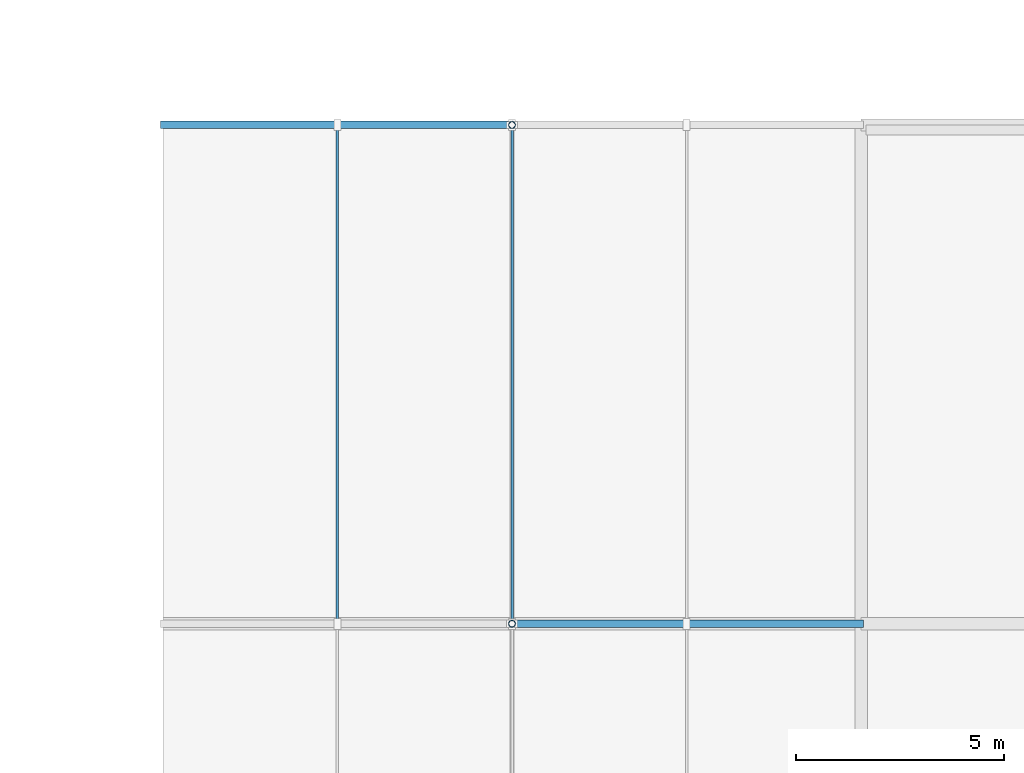
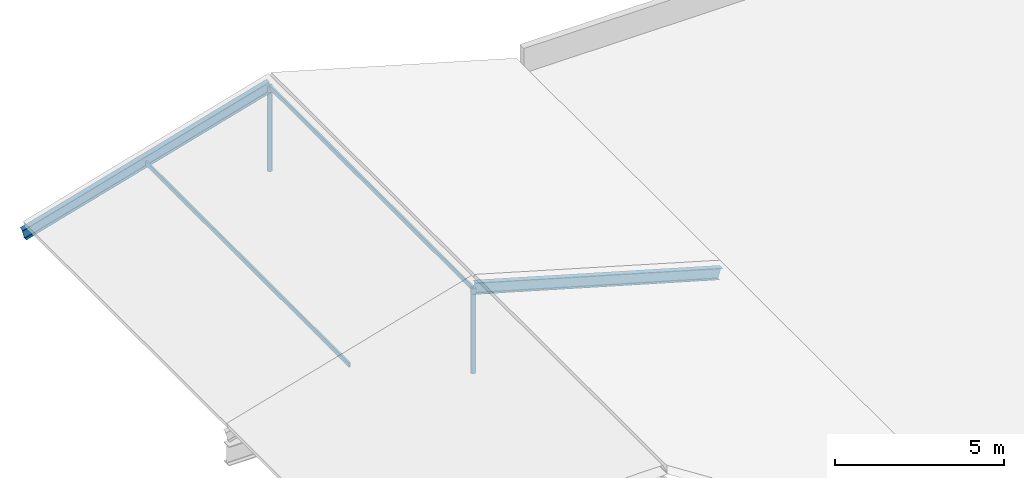
# One storey, part 36 of 130: 4 members, 2 beams.
"""IFC4 building model written with IfcOpenShell, lengths in metres."""

from ifc_helpers import new_model, si_unit, direction, frame, origin, origin_2d, place, context, subcontext, project, spatial, hollow_rectangle, hollow_circle, i_section, extrude, material, material_profile, profile_set, type_object, element, save


model = new_model("IFC4")

# Units and contexts
model_context = context("Model", 3, precision=1e-05, world=origin(), true_north=direction((0.0, 1.0)))
body_context = subcontext(model_context, "Body", "Model", "MODEL_VIEW")
ifc_project = project(units=[si_unit("LENGTHUNIT", "METRE"), si_unit("AREAUNIT", "SQUARE_METRE"), si_unit("VOLUMEUNIT", "CUBIC_METRE"), si_unit("PLANEANGLEUNIT", "RADIAN"), si_unit("MASSUNIT", "GRAM", prefix="KILO")], contexts=[model_context])

# Site, building, storey
site_placement = place(None, origin())
site = spatial("IfcSite", under=ifc_project, at=site_placement, CompositionType="ELEMENT")
building_placement = place(site_placement, origin())
building = spatial("IfcBuilding", under=site, at=building_placement, Name="Veltarok Museum of Natural Sciences", CompositionType="ELEMENT")
storey_placement = place(building_placement, frame((0.0, 0.0, 12.89990234375)))
storey = spatial("IfcBuildingStorey", under=building, at=storey_placement, Name="L02", CompositionType="ELEMENT", Elevation=12.89990234375)

# Members
ifc_material_1 = material(Name="Steel S355J2", Category="steel")
ifc_material_profile_1 = material_profile(ifc_material_1, hollow_rectangle(XDim=0.06005859375, YDim=0.159912109375, WallThickness=0.0048828125, at=origin_2d()), Name="RHS 160x60x5")
ifc_profile_set_1 = profile_set([ifc_material_profile_1], Name="Steel S355J2")
member_type_1 = type_object("IfcMemberType", Name="Sawtooth Roof Purlin RHS 160x60x5", PredefinedType="PURLIN", material=ifc_profile_set_1)
for number, where, z_axis, x_axis, name in (
    (1, (14.800048828125, 48.0, 2.421142578125), (0.0, 1.0, 0.0), (-1.0, 0.0, 0.0), "Auditorium Roof Purlin RID F-G"),
    (2, (10.60009765625, 48.0, 1.13623046875), (0.0, 1.0, 0.0), (-1.0, 0.0, 0.0), "Auditorium Roof Purlin MW F-G"),
):
    element("IfcMember", number, at=place(storey_placement, frame(where, z_axis=z_axis, x_axis=x_axis)), inside=storey, type_object=member_type_1, Name=name, PredefinedType="PURLIN", context=body_context, shape_type="SweptSolid", body=[
        extrude(hollow_rectangle(XDim=0.06005859375, YDim=0.159912109375, WallThickness=0.0048828125, at=origin_2d()), origin(), (0.0, 0.0, 1.0), 12.0),
    ])
ifc_material_2 = material(Name="Oxide-red painted Steel S355J2", Category="steel")
ifc_material_profile_2 = material_profile(ifc_material_2, hollow_circle(Radius=0.084228515625, WallThickness=0.008056640625, at=origin_2d()), Name="CHS 168.3x8")
ifc_profile_set_2 = profile_set([ifc_material_profile_2], Name="Oxide-red painted Steel S355J2")
member_type_2 = type_object("IfcMemberType", Name="Sawtooth Truss Vertical Strut CHS 168.3x8", PredefinedType="STRUT", material=ifc_profile_set_2)
for number, where, z_axis, x_axis, name in (
    (3, (14.800048828125, 48.0, -0.599853515625), (0.0, 0.0, 1.0), (1.0, 0.0, 0.0), "Auditorium Ridge King-Post Y=48.0"),
    (4, (14.800048828125, 60.0, -0.599853515625), (0.0, 0.0, 1.0), (1.0, 0.0, 0.0), "Auditorium Ridge King-Post Y=60.0"),
):
    element("IfcMember", number, at=place(storey_placement, frame(where, z_axis=z_axis, x_axis=x_axis)), inside=storey, type_object=member_type_2, Name=name, PredefinedType="STRUT", context=body_context, shape_type="SweptSolid", body=[
        extrude(hollow_circle(Radius=0.084228515625, WallThickness=0.008056640625, at=origin_2d()), origin(), (0.0, 0.0, 1.0), 3.06103515625),
    ])

# Beams
ifc_material_profile_3 = material_profile(ifc_material_1, i_section(OverallWidth=0.179931640625, OverallDepth=0.39990234375, WebThickness=0.008544921875, FlangeThickness=0.013427734375, FilletRadius=0.02099609375, at=origin_2d()), Name="IPE 400")
ifc_profile_set_3 = profile_set([ifc_material_profile_3], Name="Steel S355J2")
beam_type = type_object("IfcBeamType", Name="Sawtooth and Folded Roof Rafter IPE 400", PredefinedType="BEAM", material=ifc_profile_set_3)
beam_1_placement = place(storey_placement, frame((14.800048828125, 48.0, 2.461181640625), z_axis=(0.961222911009, 0.0, -0.275772579043), x_axis=(0.0, 1.0, 0.0)))
element("IfcBeam", 5, at=beam_1_placement, inside=storey, type_object=beam_type, Name="Auditorium Roof Rafter Y=48.0 2", PredefinedType="BEAM", context=body_context, shape_type="SweptSolid", body=[
    extrude(i_section(OverallWidth=0.179931640625, OverallDepth=0.39990234375, WebThickness=0.008544921875, FlangeThickness=0.013427734375, FilletRadius=0.02099609375, at=origin_2d()), origin(), (0.0, 0.0, 1.0), 8.73876953125),
])
beam_2_placement = place(storey_placement, frame((6.39990234375, 60.0, 0.05126953125), z_axis=(0.961225035596, 0.0, 0.275765173551), x_axis=(0.0, 1.0, 0.0)))
element("IfcBeam", 6, at=beam_2_placement, inside=storey, type_object=beam_type, Name="Auditorium Roof Rafter Y=60.0 1", PredefinedType="BEAM", context=body_context, shape_type="SweptSolid", body=[
    extrude(i_section(OverallWidth=0.179931640625, OverallDepth=0.39990234375, WebThickness=0.008544921875, FlangeThickness=0.013427734375, FilletRadius=0.02099609375, at=origin_2d()), origin(), (0.0, 0.0, 1.0), 8.739013671875),
])

save(model, "model.ifc")
